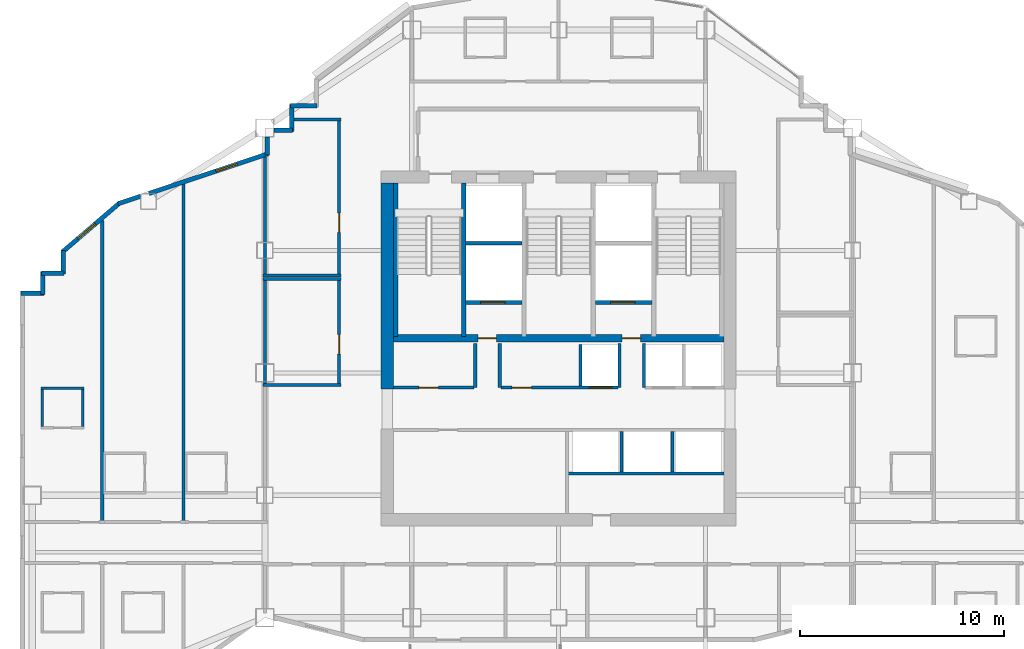
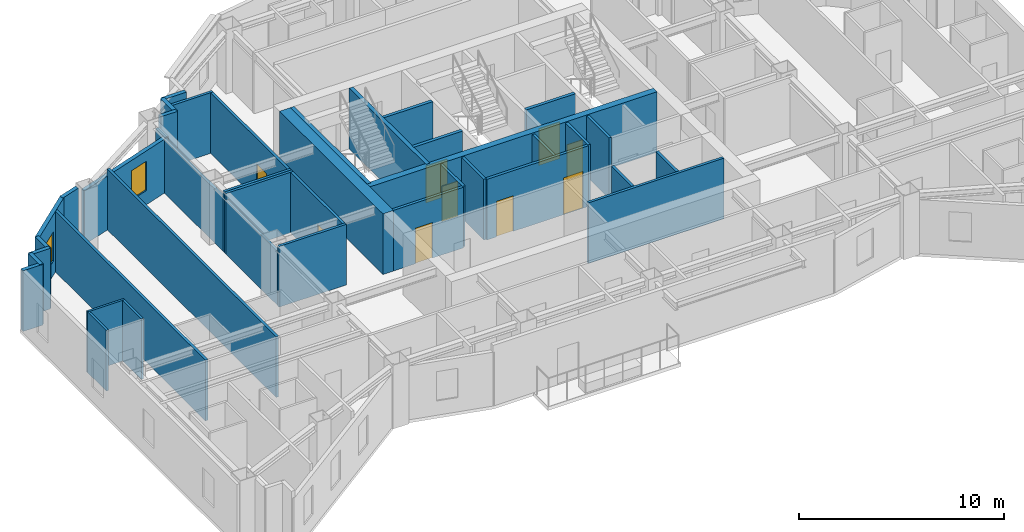
# One storey, part 6 of 12: 41 walls, 9 doors, 2 windows, 11 openings.
"""IFC4 building model written with IfcOpenShell, lengths in metres."""

from ifc_helpers import new_model, si_unit, direction, frame, frame_2d, origin, place, context, subcontext, project, spatial, rectangle, extrude, material, layer, layer_set, type_object, element, fill, save


model = new_model("IFC4")

# Units and contexts
model_context = context("Model", 3, precision=1e-05, world=origin(), true_north=direction((0.0, 1.0)))
body_context = subcontext(model_context, "Body", "Model", "MODEL_VIEW")
ifc_project = project(units=[si_unit("LENGTHUNIT", "METRE"), si_unit("AREAUNIT", "SQUARE_METRE"), si_unit("VOLUMEUNIT", "CUBIC_METRE"), si_unit("PLANEANGLEUNIT", "RADIAN"), si_unit("MASSUNIT", "GRAM", prefix="KILO")], contexts=[model_context])

# Site, building, storey
site_placement = place(None, origin())
site = spatial("IfcSite", under=ifc_project, at=site_placement, CompositionType="ELEMENT")
building_placement = place(site_placement, origin())
building = spatial("IfcBuilding", under=site, at=building_placement, Name="Haolan Belvedere Tower", CompositionType="ELEMENT")
storey_placement = place(building_placement, frame((0.0, 0.0, 195.60009765625)))
storey = spatial("IfcBuildingStorey", under=building, at=storey_placement, Name="L49", CompositionType="ELEMENT", Elevation=195.60009765625)

# Walls
ifc_material_1 = material(Name="Concrete C60/75", Category="concrete")
ifc_layer_1 = layer(ifc_material_1, 0.60009765625, Name="Concrete C60/75")
ifc_layer_set_1 = layer_set([ifc_layer_1], Name="Concrete C60/75")
wall_type_1 = type_object("IfcWallType", Name="WL-CORE-600", PredefinedType="SHEAR", material=ifc_layer_set_1)
wall_1_placement = place(storey_placement, frame((30.0, 32.800048828125, 0.0), z_axis=(0.0, 0.0, 1.0), x_axis=(0.0, 1.0, 0.0)))
element("IfcWall", 1, at=wall_1_placement, inside=storey, type_object=wall_type_1, Name="L49 central core shear wall WN", PredefinedType="SHEAR", context=body_context, shape_type="SweptSolid", body=[
    extrude(rectangle(XDim=10.099853515625, YDim=0.60009765625, at=frame_2d((5.0498046875, 0.0))), origin(), (0.0, 0.0, 1.0), 3.619873046875),
])
ifc_material_2 = material(Name="Precast concrete C40/50", Category="concrete")
ifc_layer_2 = layer(ifc_material_2, 0.219970703125, Name="Precast concrete C40/50")
ifc_layer_set_2 = layer_set([ifc_layer_2], Name="Precast concrete C40/50")
wall_type_2 = type_object("IfcWallType", Name="WL-EXT-220", PredefinedType="SOLIDWALL", material=ifc_layer_set_2)
for number, where, z_axis, x_axis, name in (
    (2, (26.56494140625, 46.68994140625, 0.0), (0.0, 0.0, 1.0), (-1.0, 0.0, 0.0), "L49 pale-metal exterior spandrel wall 25.1"),
    (3, (25.31005859375, 46.7451171875, 0.0), (0.0, 0.0, 1.0), (0.0, -1.0, 0.0), "L49 pale-metal exterior spandrel wall 26.1"),
):
    element("IfcWall", number, at=place(storey_placement, frame(where, z_axis=z_axis, x_axis=x_axis)), inside=storey, type_object=wall_type_2, Name=name, PredefinedType="SOLIDWALL", context=body_context, shape_type="SweptSolid", body=[
        extrude(rectangle(XDim=1.31005859375, YDim=0.219970703125, at=frame_2d((0.655029296875, 0.0))), origin(), (0.0, 0.0, 1.0), 3.619873046875),
    ])
wall_2_placement = place(storey_placement, frame((25.364990234375, 45.489990234375, 0.0), z_axis=(0.0, 0.0, 1.0), x_axis=(-1.0, 0.0, 0.0)))
element("IfcWall", 4, at=wall_2_placement, inside=storey, type_object=wall_type_2, Name="L49 pale-metal exterior spandrel wall 27.1", PredefinedType="SOLIDWALL", context=body_context, shape_type="SweptSolid", body=[
    extrude(rectangle(XDim=0.923095703125, YDim=0.219970703125, at=frame_2d((0.46142578125, 0.0))), origin(), (0.0, 0.0, 1.0), 3.619873046875),
])
wall_3_placement = place(storey_placement, frame((24.110107421875, 45.157958984375, 0.0), z_axis=(0.0, 0.0, 1.0), x_axis=(0.0, -1.0, 0.0)))
element("IfcWall", 5, at=wall_3_placement, inside=storey, type_object=wall_type_2, Name="L49 pale-metal exterior spandrel wall 28.1", PredefinedType="SOLIDWALL", context=body_context, shape_type="SweptSolid", body=[
    extrude(rectangle(XDim=0.892333984375, YDim=0.219970703125, at=frame_2d((0.4462890625, 0.0))), origin(), (0.0, 0.0, 1.0), 3.21484375),
])

# Wall, opening, window
wall_4_placement = place(storey_placement, frame((24.162109375, 44.338134765625, 0.0), z_axis=(0.0, 0.0, 1.0), x_axis=(-0.948687265055, -0.316215864755, 0.0)))
wall_4 = element("IfcWall", 6, at=wall_4_placement, inside=storey, type_object=wall_type_2, Name="L49 pale-metal exterior spandrel wall 29.1", PredefinedType="SOLIDWALL", context=body_context, shape_type="SweptSolid", body=[
    extrude(rectangle(XDim=6.154052734375, YDim=0.219970703125, at=frame_2d((3.0771484375, 0.0))), origin(), (0.0, 0.0, 1.0), 3.21484375),
])
opening_1_placement = place(wall_4_placement, frame((1.60009765625, 0.0, 0.85009765625)))
opening_1 = element("IfcOpeningElement", 7, at=opening_1_placement, cuts=wall_4, Name="Opening W-03", PredefinedType="OPENING", context=body_context, shape_type="SweptSolid", body=[
    extrude(rectangle(XDim=1.10009765625, YDim=1.75, at=frame_2d((0.550048828125, 0.875))), frame((0.0, 0.119873046875, 0.0), z_axis=(0.0, -1.0, 0.0), x_axis=(1.0, 0.0, 0.0)), (0.0, 0.0, 1.0), 0.239990234375),
])
ifc_material_3 = material(Name="Anodised aluminium 6063-T6 and Low-E glass", Category="aluminium")
window_type = type_object("IfcWindowType", Name="WN-DECO-Z3", PartitioningType="SINGLE_PANEL", PredefinedType="WINDOW", material=ifc_material_3)
window_1_placement = place(opening_1_placement, origin())
window_1 = element("IfcWindow", 8, at=window_1_placement, inside=storey, type_object=window_type, Name="L49 Art Deco chevron window 1", OverallHeight=1.75, OverallWidth=1.10009765625, PartitioningType="SINGLE_PANEL", PredefinedType="WINDOW", context=body_context, shape_type="SweptSolid", body=[
    extrude(rectangle(XDim=1.10009765625, YDim=1.75, at=frame_2d((0.550048828125, 0.875))), frame((0.0, 0.030029296875, 0.0), z_axis=(0.0, -1.0, 0.0), x_axis=(1.0, 0.0, 0.0)), (0.0, 0.0, 1.0), 0.06005859375),
])
fill(opening_1, window_1)

# Wall
wall_5_placement = place(storey_placement, frame((17.907958984375, 42.25341796875, 0.0), z_axis=(0.0, 0.0, 1.0), x_axis=(-0.948662335685, -0.316290646166, 0.0)))
element("IfcWall", 9, at=wall_5_placement, inside=storey, type_object=wall_type_2, Name="L49 pale-metal exterior spandrel wall 29.2", PredefinedType="SOLIDWALL", context=body_context, shape_type="SweptSolid", body=[
    extrude(rectangle(XDim=1.164794921875, YDim=0.219970703125, at=frame_2d((0.58251953125, 0.0))), origin(), (0.0, 0.0, 1.0), 3.619873046875),
])

# Wall, opening, window
wall_6_placement = place(storey_placement, frame((16.89697265625, 41.938232421875, 0.0), z_axis=(0.0, 0.0, 1.0), x_axis=(-0.759279729622, -0.650764390686, 0.0)))
wall_6 = element("IfcWall", 10, at=wall_6_placement, inside=storey, type_object=wall_type_2, Name="L49 pale-metal exterior spandrel wall 30.1", PredefinedType="SOLIDWALL", context=body_context, shape_type="SweptSolid", body=[
    extrude(rectangle(XDim=3.725830078125, YDim=0.219970703125, at=frame_2d((1.86279296875, 0.0))), origin(), (0.0, 0.0, 1.0), 3.619873046875),
])
opening_2_placement = place(wall_6_placement, frame((1.60009765625, 0.0, 0.85009765625)))
opening_2 = element("IfcOpeningElement", 11, at=opening_2_placement, cuts=wall_6, Name="Opening W-03", PredefinedType="OPENING", context=body_context, shape_type="SweptSolid", body=[
    extrude(rectangle(XDim=1.10009765625, YDim=1.75, at=frame_2d((0.550048828125, 0.875))), frame((0.0, 0.119873046875, 0.0), z_axis=(0.0, -1.0, 0.0), x_axis=(1.0, 0.0, 0.0)), (0.0, 0.0, 1.0), 0.239990234375),
])
window_2_placement = place(opening_2_placement, origin())
window_2 = element("IfcWindow", 12, at=window_2_placement, inside=storey, type_object=window_type, Name="L49 Art Deco chevron window 1", OverallHeight=1.75, OverallWidth=1.10009765625, PartitioningType="SINGLE_PANEL", PredefinedType="WINDOW", context=body_context, shape_type="SweptSolid", body=[
    extrude(rectangle(XDim=1.10009765625, YDim=1.75, at=frame_2d((0.550048828125, 0.875))), frame((0.0, 0.030029296875, 0.0), z_axis=(0.0, -1.0, 0.0), x_axis=(1.0, 0.0, 0.0)), (0.0, 0.0, 1.0), 0.06005859375),
])
fill(opening_2, window_2)

# Walls
wall_7_placement = place(storey_placement, frame((14.110107421875, 39.6044921875, 0.0), z_axis=(0.0, 0.0, 1.0), x_axis=(0.0, -1.0, 0.0)))
element("IfcWall", 13, at=wall_7_placement, inside=storey, type_object=wall_type_2, Name="L49 pale-metal exterior spandrel wall 31.1", PredefinedType="SOLIDWALL", context=body_context, shape_type="SweptSolid", body=[
    extrude(rectangle(XDim=1.16943359375, YDim=0.219970703125, at=frame_2d((0.584716796875, 0.0))), origin(), (0.0, 0.0, 1.0), 3.619873046875),
])
wall_8_placement = place(storey_placement, frame((14.1650390625, 38.489990234375, 0.0), z_axis=(0.0, 0.0, 1.0), x_axis=(-1.0, 0.0, 0.0)))
element("IfcWall", 14, at=wall_8_placement, inside=storey, type_object=wall_type_2, Name="L49 pale-metal exterior spandrel wall 32.1", PredefinedType="SOLIDWALL", context=body_context, shape_type="SweptSolid", body=[
    extrude(rectangle(XDim=1.110107421875, YDim=0.219970703125, at=frame_2d((0.55517578125, 0.0))), origin(), (0.0, 0.0, 1.0), 3.619873046875),
])
wall_9_placement = place(storey_placement, frame((13.110107421875, 38.544921875, 0.0), z_axis=(0.0, 0.0, 1.0), x_axis=(0.0, -1.0, 0.0)))
element("IfcWall", 15, at=wall_9_placement, inside=storey, type_object=wall_type_2, Name="L49 pale-metal exterior spandrel wall 33.1", PredefinedType="SOLIDWALL", context=body_context, shape_type="SweptSolid", body=[
    extrude(rectangle(XDim=1.10986328125, YDim=0.219970703125, at=frame_2d((0.554931640625, 0.0))), origin(), (0.0, 0.0, 1.0), 3.619873046875),
])
wall_10_placement = place(storey_placement, frame((13.1650390625, 37.489990234375, 0.0), z_axis=(0.0, 0.0, 1.0), x_axis=(-1.0, 0.0, 0.0)))
element("IfcWall", 16, at=wall_10_placement, inside=storey, type_object=wall_type_2, Name="L49 pale-metal exterior spandrel wall 34.1", PredefinedType="SOLIDWALL", context=body_context, shape_type="SweptSolid", body=[
    extrude(rectangle(XDim=1.110107421875, YDim=0.219970703125, at=frame_2d((0.55517578125, 0.0))), origin(), (0.0, 0.0, 1.0), 3.619873046875),
])
ifc_material_4 = material(Name="Double gypsum acoustic stud partition", Category="masonry")
ifc_layer_3 = layer(ifc_material_4, 0.14990234375, Name="Double gypsum acoustic stud partition")
ifc_layer_set_3 = layer_set([ifc_layer_3], Name="Double gypsum acoustic stud partition")
wall_type_3 = type_object("IfcWallType", Name="WL-PART-150", PredefinedType="PARTITIONING", material=ifc_layer_set_3)
wall_11_placement = place(storey_placement, frame((38.860107421875, 28.659912109375, 0.0), z_axis=(0.0, 0.0, 1.0), x_axis=(1.0, 0.0, 0.0)))
element("IfcWall", 17, at=wall_11_placement, inside=storey, type_object=wall_type_3, Name="L49 interior partition IW-L49-SSTRIP-E", PredefinedType="PARTITIONING", context=body_context, shape_type="SweptSolid", body=[
    extrude(rectangle(XDim=7.639892578125, YDim=0.14990234375, at=frame_2d((3.81982421875, 0.0))), origin(), (0.0, 0.0, 1.0), 3.619873046875),
])
for number, where, z_axis, x_axis, name in (
    (18, (23.919921875, 38.199951171875, 0.0), (0.0, 0.0, 1.0), (1.0, 0.0, 0.0), "L49 interior partition IW-L49-HSK-N"),
    (19, (23.919921875, 33.0, 0.0), (0.0, 0.0, 1.0), (1.0, 0.0, 0.0), "L49 interior partition IW-L49-HSK-S"),
):
    element("IfcWall", number, at=place(storey_placement, frame(where, z_axis=z_axis, x_axis=x_axis)), inside=storey, type_object=wall_type_3, Name=name, PredefinedType="PARTITIONING", context=body_context, shape_type="SweptSolid", body=[
        extrude(rectangle(XDim=3.800048828125, YDim=0.14990234375, at=frame_2d((1.89990234375, 0.0))), origin(), (0.0, 0.0, 1.0), 3.619873046875),
    ])
wall_12_placement = place(storey_placement, frame((24.0, 33.06005859375, 0.0), z_axis=(0.0, 0.0, 1.0), x_axis=(0.0, 1.0, 0.0)))
element("IfcWall", 20, at=wall_12_placement, inside=storey, type_object=wall_type_3, Name="L49 interior partition IW-L49-HSK-W", PredefinedType="PARTITIONING", context=body_context, shape_type="SweptSolid", body=[
    extrude(rectangle(XDim=5.079833984375, YDim=0.14990234375, at=frame_2d((2.5400390625, 0.0))), origin(), (0.0, 0.0, 1.0), 3.21484375),
])

# Wall, opening, door
wall_13_placement = place(storey_placement, frame((27.639892578125, 33.06005859375, 0.0), z_axis=(0.0, 0.0, 1.0), x_axis=(0.0, 1.0, 0.0)))
wall_13 = element("IfcWall", 21, at=wall_13_placement, inside=storey, type_object=wall_type_3, Name="L49 interior partition IW-L49-HSK-E", PredefinedType="PARTITIONING", context=body_context, shape_type="SweptSolid", body=[
    extrude(rectangle(XDim=5.079833984375, YDim=0.14990234375, at=frame_2d((2.5400390625, 0.0))), origin(), (0.0, 0.0, 1.0), 3.619873046875),
])
opening_3_placement = place(wall_13_placement, frame((2.409912109375, 0.0, 0.0), z_axis=(0.0, 0.0, 1.0), x_axis=(-1.0, 0.0, 0.0)))
opening_3 = element("IfcOpeningElement", 22, at=opening_3_placement, cuts=wall_13, Name="Opening ID-03", PredefinedType="OPENING", context=body_context, shape_type="SweptSolid", body=[
    extrude(rectangle(XDim=0.949951171875, YDim=2.1201171875, at=frame_2d((0.47509765625, 1.06005859375))), frame((0.0, 0.0849609375, 0.0), z_axis=(0.0, -1.0, 0.0), x_axis=(1.0, 0.0, 0.0)), (0.0, 0.0, 1.0), 0.169921875),
])
ifc_material_5 = material(Name="Painted solid-core timber", Category="wood")
door_type_1 = type_object("IfcDoorType", Name="DR-INT-950", OperationType="NOTDEFINED", PredefinedType="DOOR", material=ifc_material_5)
door_1_placement = place(opening_3_placement, origin())
door_1 = element("IfcDoor", 23, at=door_1_placement, inside=storey, type_object=door_type_1, Name="L49 door ID-L49-HSK", OperationType="SINGLE_SWING_LEFT", OverallHeight=2.1201171875, OverallWidth=0.949951171875, PredefinedType="DOOR", context=body_context, shape_type="SweptSolid", body=[
    extrude(rectangle(XDim=0.949951171875, YDim=2.1201171875, at=frame_2d((0.47509765625, 1.06005859375))), frame((0.0, 0.02490234375, 0.0), z_axis=(0.0, -1.0, 0.0), x_axis=(1.0, 0.0, 0.0)), (0.0, 0.0, 1.0), 0.050048828125),
])
fill(opening_3, door_1)

# Walls
wall_14_placement = place(storey_placement, frame((25.412109375, 46.02001953125, 0.0), z_axis=(0.0, 0.0, 1.0), x_axis=(1.0, 0.0, 0.0)))
element("IfcWall", 24, at=wall_14_placement, inside=storey, type_object=wall_type_3, Name="L49 interior partition IW-L49-VLT-N", PredefinedType="PARTITIONING", context=body_context, shape_type="SweptSolid", body=[
    extrude(rectangle(XDim=2.307861328125, YDim=0.14990234375, at=frame_2d((1.15380859375, 0.0))), origin(), (0.0, 0.0, 1.0), 3.619873046875),
])
wall_15_placement = place(storey_placement, frame((23.919921875, 38.360107421875, 0.0), z_axis=(0.0, 0.0, 1.0), x_axis=(1.0, 0.0, 0.0)))
element("IfcWall", 25, at=wall_15_placement, inside=storey, type_object=wall_type_3, Name="L49 interior partition IW-L49-VLT-S", PredefinedType="PARTITIONING", context=body_context, shape_type="SweptSolid", body=[
    extrude(rectangle(XDim=3.800048828125, YDim=0.14990234375, at=frame_2d((1.89990234375, 0.0))), origin(), (0.0, 0.0, 1.0), 3.619873046875),
])
wall_16_placement = place(storey_placement, frame((24.0, 38.419921875, 0.0), z_axis=(0.0, 0.0, 1.0), x_axis=(0.0, 1.0, 0.0)))
element("IfcWall", 26, at=wall_16_placement, inside=storey, type_object=wall_type_3, Name="L49 interior partition IW-L49-VLT-W", PredefinedType="PARTITIONING", context=body_context, shape_type="SweptSolid", body=[
    extrude(rectangle(XDim=5.756591796875, YDim=0.14990234375, at=frame_2d((2.87841796875, 0.0))), origin(), (0.0, 0.0, 1.0), 3.21484375),
])

# Wall, opening, door
wall_17_placement = place(storey_placement, frame((27.639892578125, 38.419921875, 0.0), z_axis=(0.0, 0.0, 1.0), x_axis=(0.0, 1.0, 0.0)))
wall_17 = element("IfcWall", 27, at=wall_17_placement, inside=storey, type_object=wall_type_3, Name="L49 interior partition IW-L49-VLT-E", PredefinedType="PARTITIONING", context=body_context, shape_type="SweptSolid", body=[
    extrude(rectangle(XDim=7.5400390625, YDim=0.14990234375, at=frame_2d((3.77001953125, 0.0))), origin(), (0.0, 0.0, 1.0), 3.619873046875),
])
opening_4_placement = place(wall_17_placement, frame((3.010009765625, 0.0, 0.0), z_axis=(0.0, 0.0, 1.0), x_axis=(-1.0, 0.0, 0.0)))
opening_4 = element("IfcOpeningElement", 28, at=opening_4_placement, cuts=wall_17, Name="Opening ID-03", PredefinedType="OPENING", context=body_context, shape_type="SweptSolid", body=[
    extrude(rectangle(XDim=0.949951171875, YDim=2.1201171875, at=frame_2d((0.47509765625, 1.06005859375))), frame((0.0, 0.0849609375, 0.0), z_axis=(0.0, -1.0, 0.0), x_axis=(1.0, 0.0, 0.0)), (0.0, 0.0, 1.0), 0.169921875),
])
door_2_placement = place(opening_4_placement, origin())
door_2 = element("IfcDoor", 29, at=door_2_placement, inside=storey, type_object=door_type_1, Name="L49 door ID-L49-VLT", OperationType="SINGLE_SWING_RIGHT", OverallHeight=2.1201171875, OverallWidth=0.949951171875, PredefinedType="DOOR", context=body_context, shape_type="SweptSolid", body=[
    extrude(rectangle(XDim=0.949951171875, YDim=2.1201171875, at=frame_2d((0.47509765625, 1.06005859375))), frame((0.0, 0.02490234375, 0.0), z_axis=(0.0, -1.0, 0.0), x_axis=(1.0, 0.0, 0.0)), (0.0, 0.0, 1.0), 0.050048828125),
])
fill(opening_4, door_2)

# Walls
wall_18_placement = place(storey_placement, frame((16.030029296875, 26.340087890625, 0.0), z_axis=(0.0, 0.0, 1.0), x_axis=(0.0, 1.0, 0.0)))
element("IfcWall", 30, at=wall_18_placement, inside=storey, type_object=wall_type_3, Name="L49 interior partition IW-L49-T2N1-E", PredefinedType="PARTITIONING", context=body_context, shape_type="SweptSolid", body=[
    extrude(rectangle(XDim=14.720703125, YDim=0.14990234375, at=frame_2d((7.3603515625, 0.0))), origin(), (0.0, 0.0, 1.0), 3.619873046875),
])
wall_19_placement = place(storey_placement, frame((20.02001953125, 26.340087890625, 0.0), z_axis=(0.0, 0.0, 1.0), x_axis=(0.0, 1.0, 0.0)))
element("IfcWall", 31, at=wall_19_placement, inside=storey, type_object=wall_type_3, Name="L49 interior partition IW-L49-T2N2-E", PredefinedType="PARTITIONING", context=body_context, shape_type="SweptSolid", body=[
    extrude(rectangle(XDim=16.509765625, YDim=0.14990234375, at=frame_2d((8.2548828125, 0.0))), origin(), (0.0, 0.0, 1.0), 3.619873046875),
])
ifc_material_6 = material(Name="Gypsum fire shaftwall assembly", Category="masonry")
ifc_layer_4 = layer(ifc_material_6, 0.1650390625, Name="Gypsum fire shaftwall assembly")
ifc_layer_set_4 = layer_set([ifc_layer_4], Name="Gypsum fire shaftwall assembly")
wall_type_4 = type_object("IfcWallType", Name="WL-SHAFT-160", PredefinedType="SOLIDWALL", material=ifc_layer_set_4)
for number, where, z_axis, x_axis, name in (
    (32, (34.31005859375, 32.8798828125, 0.0), (0.0, 0.0, 1.0), (0.0, 1.0, 0.0), "L49 interior partition IW-L49-SVP-W-SV1"),
    (33, (35.510009765625, 32.8798828125, 0.0), (0.0, 0.0, 1.0), (0.0, 1.0, 0.0), "L49 interior partition IW-L49-SVP-E-SV1"),
    (34, (41.3701171875, 32.8798828125, 0.0), (0.0, 0.0, 1.0), (0.0, 1.0, 0.0), "L49 interior partition IW-L49-SVP-W-SV2"),
    (35, (42.570068359375, 32.8798828125, 0.0), (0.0, 0.0, 1.0), (0.0, 1.0, 0.0), "L49 interior partition IW-L49-SVP-E-SV2"),
):
    element("IfcWall", number, at=place(storey_placement, frame(where, z_axis=z_axis, x_axis=x_axis)), inside=storey, type_object=wall_type_4, Name=name, PredefinedType="SOLIDWALL", context=body_context, shape_type="SweptSolid", body=[
        extrude(rectangle(XDim=2.170166015625, YDim=0.14990234375, at=frame_2d((1.0849609375, 0.0))), origin(), (0.0, 0.0, 1.0), 3.619873046875),
    ])

# Wall, opening, door
wall_20_placement = place(storey_placement, frame((30.300048828125, 32.8798828125, 0.0), z_axis=(0.0, 0.0, 1.0), x_axis=(1.0, 0.0, 0.0)))
wall_20 = element("IfcWall", 36, at=wall_20_placement, inside=storey, type_object=wall_type_4, Name="L49 interior partition IW-L49-ROW-PN1", PredefinedType="SOLIDWALL", context=body_context, shape_type="SweptSolid", body=[
    extrude(rectangle(XDim=3.949951171875, YDim=0.159912109375, at=frame_2d((1.97509765625, 0.0))), origin(), (0.0, 0.0, 1.0), 3.619873046875),
])
opening_5_placement = place(wall_20_placement, frame((2.199951171875, 0.0, 0.0), z_axis=(0.0, 0.0, 1.0), x_axis=(-1.0, 0.0, 0.0)))
opening_5 = element("IfcOpeningElement", 37, at=opening_5_placement, cuts=wall_20, Name="Opening ID-03", PredefinedType="OPENING", context=body_context, shape_type="SweptSolid", body=[
    extrude(rectangle(XDim=0.949951171875, YDim=2.1201171875, at=frame_2d((0.47509765625, 1.06005859375))), frame((0.0, 0.08984375, 0.0), z_axis=(0.0, -1.0, 0.0), x_axis=(1.0, 0.0, 0.0)), (0.0, 0.0, 1.0), 0.179931640625),
])
door_3_placement = place(opening_5_placement, origin())
door_3 = element("IfcDoor", 38, at=door_3_placement, inside=storey, type_object=door_type_1, Name="L49 door ID-L49-CD-RPLW", OperationType="SINGLE_SWING_LEFT", OverallHeight=2.1201171875, OverallWidth=0.949951171875, PredefinedType="DOOR", context=body_context, shape_type="SweptSolid", body=[
    extrude(rectangle(XDim=0.949951171875, YDim=2.1201171875, at=frame_2d((0.47509765625, 1.06005859375))), frame((0.0, 0.02490234375, 0.0), z_axis=(0.0, -1.0, 0.0), x_axis=(1.0, 0.0, 0.0)), (0.0, 0.0, 1.0), 0.050048828125),
])
fill(opening_5, door_3)

# Wall, openings, doors
wall_21_placement = place(storey_placement, frame((35.570068359375, 32.8798828125, 0.0), z_axis=(0.0, 0.0, 1.0), x_axis=(1.0, 0.0, 0.0)))
wall_21 = element("IfcWall", 39, at=wall_21_placement, inside=storey, type_object=wall_type_4, Name="L49 interior partition IW-L49-ROW-PN2", PredefinedType="SOLIDWALL", context=body_context, shape_type="SweptSolid", body=[
    extrude(rectangle(XDim=5.739990234375, YDim=0.159912109375, at=frame_2d((2.8701171875, 0.0))), origin(), (0.0, 0.0, 1.0), 3.619873046875),
])
opening_6_placement = place(wall_21_placement, frame((1.489990234375, 0.0, 0.0), z_axis=(0.0, 0.0, 1.0), x_axis=(-1.0, 0.0, 0.0)))
opening_6 = element("IfcOpeningElement", 40, at=opening_6_placement, cuts=wall_21, Name="Opening ID-03", PredefinedType="OPENING", context=body_context, shape_type="SweptSolid", body=[
    extrude(rectangle(XDim=0.949951171875, YDim=2.1201171875, at=frame_2d((0.47509765625, 1.06005859375))), frame((0.0, 0.08984375, 0.0), z_axis=(0.0, -1.0, 0.0), x_axis=(1.0, 0.0, 0.0)), (0.0, 0.0, 1.0), 0.179931640625),
])
opening_7_placement = place(wall_21_placement, frame((5.43017578125, 0.0, 0.0), z_axis=(0.0, 0.0, 1.0), x_axis=(-1.0, 0.0, 0.0)))
opening_7 = element("IfcOpeningElement", 41, at=opening_7_placement, cuts=wall_21, Name="Opening LD-01", PredefinedType="OPENING", context=body_context, shape_type="SweptSolid", body=[
    extrude(rectangle(XDim=1.10009765625, YDim=2.199951171875, at=frame_2d((0.550048828125, 1.10009765625))), frame((0.0, 0.08984375, 0.0), z_axis=(0.0, -1.0, 0.0), x_axis=(1.0, 0.0, 0.0)), (0.0, 0.0, 1.0), 0.179931640625),
])
door_4_placement = place(opening_6_placement, origin())
door_4 = element("IfcDoor", 42, at=door_4_placement, inside=storey, type_object=door_type_1, Name="L49 door ID-L49-CD-RPLE", OperationType="SINGLE_SWING_RIGHT", OverallHeight=2.1201171875, OverallWidth=0.949951171875, PredefinedType="DOOR", context=body_context, shape_type="SweptSolid", body=[
    extrude(rectangle(XDim=0.949951171875, YDim=2.1201171875, at=frame_2d((0.47509765625, 1.06005859375))), frame((0.0, 0.02490234375, 0.0), z_axis=(0.0, -1.0, 0.0), x_axis=(1.0, 0.0, 0.0)), (0.0, 0.0, 1.0), 0.050048828125),
])
fill(opening_6, door_4)
ifc_material_7 = material(Name="Brushed champagne stainless steel 316L", Category="steel")
door_type_2 = type_object("IfcDoorType", Name="DR-LIFT-1100", OperationType="SLIDING_TO_LEFT", PredefinedType="DOOR", material=ifc_material_7)
door_5_placement = place(opening_7_placement, origin())
door_5 = element("IfcDoor", 43, at=door_5_placement, inside=storey, type_object=door_type_2, Name="L49 door ID-L49-LD-PH1", OperationType="SLIDING_TO_RIGHT", OverallHeight=2.199951171875, OverallWidth=1.10009765625, PredefinedType="DOOR", context=body_context, shape_type="SweptSolid", body=[
    extrude(rectangle(XDim=1.10009765625, YDim=2.199951171875, at=frame_2d((0.550048828125, 1.10009765625))), frame((0.0, 0.02490234375, 0.0), z_axis=(0.0, -1.0, 0.0), x_axis=(1.0, 0.0, 0.0)), (0.0, 0.0, 1.0), 0.050048828125),
])
fill(opening_7, door_5)

# Walls
wall_22_placement = place(storey_placement, frame((39.469970703125, 32.949951171875, 0.0), z_axis=(0.0, 0.0, 1.0), x_axis=(0.0, 1.0, 0.0)))
element("IfcWall", 44, at=wall_22_placement, inside=storey, type_object=wall_type_4, Name="L49 interior partition IW-L49-DIV-PL4R", PredefinedType="SOLIDWALL", context=body_context, shape_type="SweptSolid", body=[
    extrude(rectangle(XDim=2.050048828125, YDim=0.14990234375, at=frame_2d((1.02490234375, 0.0))), origin(), (0.0, 0.0, 1.0), 3.619873046875),
])
for number, where, z_axis, x_axis, name in (
    (45, (41.469970703125, 28.75, 0.0), (0.0, 0.0, 1.0), (0.0, 1.0, 0.0), "L49 interior partition IW-L49-DIV-OB1"),
    (46, (43.97998046875, 28.75, 0.0), (0.0, 0.0, 1.0), (0.0, 1.0, 0.0), "L49 interior partition IW-L49-DIV-OB2"),
):
    element("IfcWall", number, at=place(storey_placement, frame(where, z_axis=z_axis, x_axis=x_axis)), inside=storey, type_object=wall_type_4, Name=name, PredefinedType="SOLIDWALL", context=body_context, shape_type="SweptSolid", body=[
        extrude(rectangle(XDim=1.985107421875, YDim=0.14990234375, at=frame_2d((0.99267578125, 0.0))), origin(), (0.0, 0.0, 1.0), 3.619873046875),
    ])
ifc_layer_5 = layer(ifc_material_2, 0.179931640625, Name="Precast concrete C40/50")
ifc_layer_set_5 = layer_set([ifc_layer_5], Name="Precast concrete C40/50")
wall_type_5 = type_object("IfcWallType", Name="WL-SHAFT-180", PredefinedType="SOLIDWALL", material=ifc_layer_set_5)
wall_23_placement = place(storey_placement, frame((33.8349609375, 39.949951171875, 0.0), z_axis=(0.0, 0.0, 1.0), x_axis=(1.0, 0.0, 0.0)))
element("IfcWall", 47, at=wall_23_placement, inside=storey, type_object=wall_type_5, Name="L49 interior partition IW-L49-FF1-S", PredefinedType="SOLIDWALL", context=body_context, shape_type="SweptSolid", body=[
    extrude(rectangle(XDim=2.77001953125, YDim=0.179931640625, at=frame_2d((1.385009765625, 0.0))), origin(), (0.0, 0.0, 1.0), 3.619873046875),
])

# Wall, opening, door
wall_24_placement = place(storey_placement, frame((33.8349609375, 37.050048828125, 0.0), z_axis=(0.0, 0.0, 1.0), x_axis=(1.0, 0.0, 0.0)))
wall_24 = element("IfcWall", 48, at=wall_24_placement, inside=storey, type_object=wall_type_5, Name="L49 interior partition IW-L49-SV1-S", PredefinedType="SOLIDWALL", context=body_context, shape_type="SweptSolid", body=[
    extrude(rectangle(XDim=2.77001953125, YDim=0.179931640625, at=frame_2d((1.385009765625, 0.0))), origin(), (0.0, 0.0, 1.0), 3.619873046875),
])
opening_8_placement = place(wall_24_placement, frame((1.945068359375, 0.0, 0.0), z_axis=(0.0, 0.0, 1.0), x_axis=(-1.0, 0.0, 0.0)))
opening_8 = element("IfcOpeningElement", 49, at=opening_8_placement, cuts=wall_24, Name="Opening LD-02", PredefinedType="OPENING", context=body_context, shape_type="SweptSolid", body=[
    extrude(rectangle(XDim=1.199951171875, YDim=2.199951171875, at=frame_2d((0.60009765625, 1.10009765625))), frame((0.0, 0.099853515625, 0.0), z_axis=(0.0, -1.0, 0.0), x_axis=(1.0, 0.0, 0.0)), (0.0, 0.0, 1.0), 0.199951171875),
])
door_type_3 = type_object("IfcDoorType", Name="DR-LIFT-1200", OperationType="SLIDING_TO_RIGHT", PredefinedType="DOOR", material=ifc_material_7)
door_6_placement = place(opening_8_placement, origin())
door_6 = element("IfcDoor", 50, at=door_6_placement, inside=storey, type_object=door_type_3, Name="L49 door ID-L49-LD-SV1", OperationType="SLIDING_TO_RIGHT", OverallHeight=2.199951171875, OverallWidth=1.199951171875, PredefinedType="DOOR", context=body_context, shape_type="SweptSolid", body=[
    extrude(rectangle(XDim=1.199951171875, YDim=2.199951171875, at=frame_2d((0.60009765625, 1.10009765625))), frame((0.0, 0.02490234375, 0.0), z_axis=(0.0, -1.0, 0.0), x_axis=(1.0, 0.0, 0.0)), (0.0, 0.0, 1.0), 0.050048828125),
])
fill(opening_8, door_6)

wall_25_placement = place(storey_placement, frame((40.195068359375, 37.050048828125, 0.0), z_axis=(0.0, 0.0, 1.0), x_axis=(1.0, 0.0, 0.0)))
wall_25 = element("IfcWall", 51, at=wall_25_placement, inside=storey, type_object=wall_type_5, Name="L49 interior partition IW-L49-SV2-S", PredefinedType="SOLIDWALL", context=body_context, shape_type="SweptSolid", body=[
    extrude(rectangle(XDim=2.77001953125, YDim=0.179931640625, at=frame_2d((1.385009765625, 0.0))), origin(), (0.0, 0.0, 1.0), 3.619873046875),
])
opening_9_placement = place(wall_25_placement, frame((1.945068359375, 0.0, 0.0), z_axis=(0.0, 0.0, 1.0), x_axis=(-1.0, 0.0, 0.0)))
opening_9 = element("IfcOpeningElement", 52, at=opening_9_placement, cuts=wall_25, Name="Opening LD-02", PredefinedType="OPENING", context=body_context, shape_type="SweptSolid", body=[
    extrude(rectangle(XDim=1.199951171875, YDim=2.199951171875, at=frame_2d((0.60009765625, 1.10009765625))), frame((0.0, 0.099853515625, 0.0), z_axis=(0.0, -1.0, 0.0), x_axis=(1.0, 0.0, 0.0)), (0.0, 0.0, 1.0), 0.199951171875),
])
door_7_placement = place(opening_9_placement, origin())
door_7 = element("IfcDoor", 53, at=door_7_placement, inside=storey, type_object=door_type_3, Name="L49 door ID-L49-LD-SV2", OperationType="SLIDING_TO_RIGHT", OverallHeight=2.199951171875, OverallWidth=1.199951171875, PredefinedType="DOOR", context=body_context, shape_type="SweptSolid", body=[
    extrude(rectangle(XDim=1.199951171875, YDim=2.199951171875, at=frame_2d((0.60009765625, 1.10009765625))), frame((0.0, 0.02490234375, 0.0), z_axis=(0.0, -1.0, 0.0), x_axis=(1.0, 0.0, 0.0)), (0.0, 0.0, 1.0), 0.050048828125),
])
fill(opening_9, door_7)

# Walls
ifc_material_8 = material(Name="Concrete C50/60", Category="concrete")
ifc_layer_6 = layer(ifc_material_8, 0.219970703125, Name="Concrete C50/60")
ifc_layer_set_6 = layer_set([ifc_layer_6], Name="Concrete C50/60")
wall_type_6 = type_object("IfcWallType", Name="WL-STAIR-220", PredefinedType="SHEAR", material=ifc_layer_set_6)
for number, where, z_axis, x_axis, name in (
    (54, (30.412109375, 35.389892578125, 0.0), (0.0, 0.0, 1.0), (0.0, 1.0, 0.0), "L49 structural stair core wall ST1W"),
    (55, (33.739990234375, 35.389892578125, 0.0), (0.0, 0.0, 1.0), (0.0, 1.0, 0.0), "L49 structural stair core wall ST1E"),
):
    element("IfcWall", number, at=place(storey_placement, frame(where, z_axis=z_axis, x_axis=x_axis)), inside=storey, type_object=wall_type_6, Name=name, PredefinedType="SHEAR", context=body_context, shape_type="SweptSolid", body=[
        extrude(rectangle(XDim=7.510009765625, YDim=0.219970703125, at=frame_2d((3.7548828125, 0.0))), origin(), (0.0, 0.0, 1.0), 3.619873046875),
    ])

# Wall, openings, doors
ifc_layer_7 = layer(ifc_material_1, 0.360107421875, Name="Concrete C60/75")
ifc_layer_set_7 = layer_set([ifc_layer_7], Name="Concrete C60/75")
wall_type_7 = type_object("IfcWallType", Name="WL-WEB-350", PredefinedType="SHEAR", material=ifc_layer_set_7)
wall_26_placement = place(storey_placement, frame((30.300048828125, 35.2900390625, 0.0), z_axis=(0.0, 0.0, 1.0), x_axis=(1.0, 0.0, 0.0)))
wall_26 = element("IfcWall", 56, at=wall_26_placement, inside=storey, type_object=wall_type_7, Name="L49 central core internal shear web", PredefinedType="SHEAR", context=body_context, shape_type="SweptSolid", body=[
    extrude(rectangle(XDim=16.199951171875, YDim=0.360107421875, at=frame_2d((8.10009765625, 0.0))), origin(), (0.0, 0.0, 1.0), 3.619873046875),
])
opening_10_placement = place(wall_26_placement, frame((5.0498046875, 0.0, 0.0), z_axis=(0.0, 0.0, 1.0), x_axis=(-1.0, 0.0, 0.0)))
opening_10 = element("IfcOpeningElement", 57, at=opening_10_placement, cuts=wall_26, Name="Opening FD-05", PredefinedType="OPENING", context=body_context, shape_type="SweptSolid", body=[
    extrude(rectangle(XDim=0.89990234375, YDim=2.10009765625, at=frame_2d((0.449951171875, 1.050048828125))), frame((0.0, 0.18994140625, 0.0), z_axis=(0.0, -1.0, 0.0), x_axis=(1.0, 0.0, 0.0)), (0.0, 0.0, 1.0), 0.380126953125),
])
opening_11_placement = place(wall_26_placement, frame((12.10986328125, 0.0, 0.0), z_axis=(0.0, 0.0, 1.0), x_axis=(-1.0, 0.0, 0.0)))
opening_11 = element("IfcOpeningElement", 58, at=opening_11_placement, cuts=wall_26, Name="Opening FD-05", PredefinedType="OPENING", context=body_context, shape_type="SweptSolid", body=[
    extrude(rectangle(XDim=0.89990234375, YDim=2.10009765625, at=frame_2d((0.449951171875, 1.050048828125))), frame((0.0, 0.18994140625, 0.0), z_axis=(0.0, -1.0, 0.0), x_axis=(1.0, 0.0, 0.0)), (0.0, 0.0, 1.0), 0.380126953125),
])
ifc_material_9 = material(Name="Galvanised fire-rated steel", Category="steel")
door_type_4 = type_object("IfcDoorType", Name="DR-FD60-900", OperationType="NOTDEFINED", PredefinedType="DOOR", material=ifc_material_9)
door_8_placement = place(opening_10_placement, origin())
door_8 = element("IfcDoor", 59, at=door_8_placement, inside=storey, type_object=door_type_4, Name="L49 door CD-L49-SVL-SV1", OperationType="SINGLE_SWING_RIGHT", OverallHeight=2.10009765625, OverallWidth=0.89990234375, PredefinedType="DOOR", context=body_context, shape_type="SweptSolid", body=[
    extrude(rectangle(XDim=0.89990234375, YDim=2.10009765625, at=frame_2d((0.449951171875, 1.050048828125))), frame((0.0, 0.02490234375, 0.0), z_axis=(0.0, -1.0, 0.0), x_axis=(1.0, 0.0, 0.0)), (0.0, 0.0, 1.0), 0.050048828125),
])
fill(opening_10, door_8)
door_9_placement = place(opening_11_placement, origin())
door_9 = element("IfcDoor", 60, at=door_9_placement, inside=storey, type_object=door_type_4, Name="L49 door CD-L49-SVL-SV2", OperationType="SINGLE_SWING_RIGHT", OverallHeight=2.10009765625, OverallWidth=0.89990234375, PredefinedType="DOOR", context=body_context, shape_type="SweptSolid", body=[
    extrude(rectangle(XDim=0.89990234375, YDim=2.10009765625, at=frame_2d((0.449951171875, 1.050048828125))), frame((0.0, 0.02490234375, 0.0), z_axis=(0.0, -1.0, 0.0), x_axis=(1.0, 0.0, 0.0)), (0.0, 0.0, 1.0), 0.050048828125),
])
fill(opening_11, door_9)

# Walls
ifc_material_10 = material(Name="Moisture-resistant gypsum tile partition", Category="masonry")
ifc_layer_8 = layer(ifc_material_10, 0.1201171875, Name="Moisture-resistant gypsum tile partition")
ifc_layer_set_8 = layer_set([ifc_layer_8], Name="Moisture-resistant gypsum tile partition")
wall_type_8 = type_object("IfcWallType", Name="WL-WET-120", PredefinedType="PARTITIONING", material=ifc_layer_set_8)
wall_27_placement = place(storey_placement, frame((13.030029296875, 32.8349609375, 0.0), z_axis=(0.0, 0.0, 1.0), x_axis=(1.0, 0.0, 0.0)))
element("IfcWall", 61, at=wall_27_placement, inside=storey, type_object=wall_type_8, Name="L49 interior partition IW-L49-T2N1-BN", PredefinedType="PARTITIONING", context=body_context, shape_type="SweptSolid", body=[
    extrude(rectangle(XDim=2.099853515625, YDim=0.1201171875, at=frame_2d((1.0498046875, 0.0))), origin(), (0.0, 0.0, 1.0), 3.619873046875),
])
for number, where, z_axis, x_axis, name in (
    (62, (13.090087890625, 30.9599609375, 0.0), (0.0, 0.0, 1.0), (0.0, 1.0, 0.0), "L49 interior partition IW-L49-T2N1-BW"),
    (63, (15.070068359375, 30.9599609375, 0.0), (0.0, 0.0, 1.0), (0.0, 1.0, 0.0), "L49 interior partition IW-L49-T2N1-BE"),
):
    element("IfcWall", number, at=place(storey_placement, frame(where, z_axis=z_axis, x_axis=x_axis)), inside=storey, type_object=wall_type_8, Name=name, PredefinedType="PARTITIONING", context=body_context, shape_type="SweptSolid", body=[
        extrude(rectangle(XDim=1.830078125, YDim=0.1201171875, at=frame_2d((0.9150390625, 0.0))), origin(), (0.0, 0.0, 1.0), 3.619873046875),
    ])

save(model, "model.ifc")
